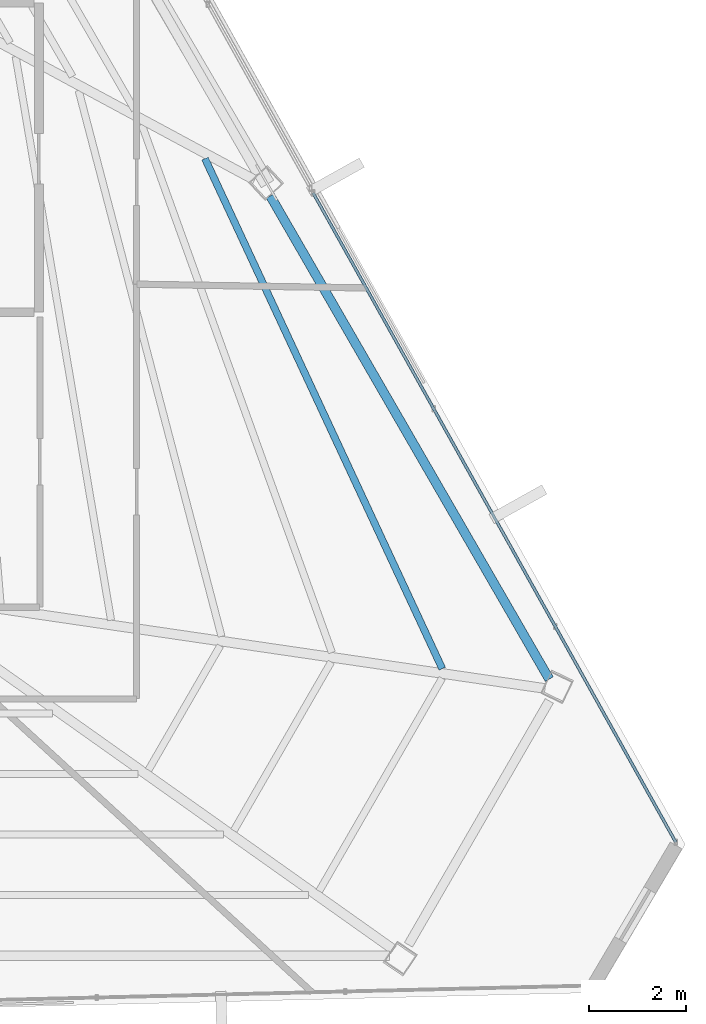
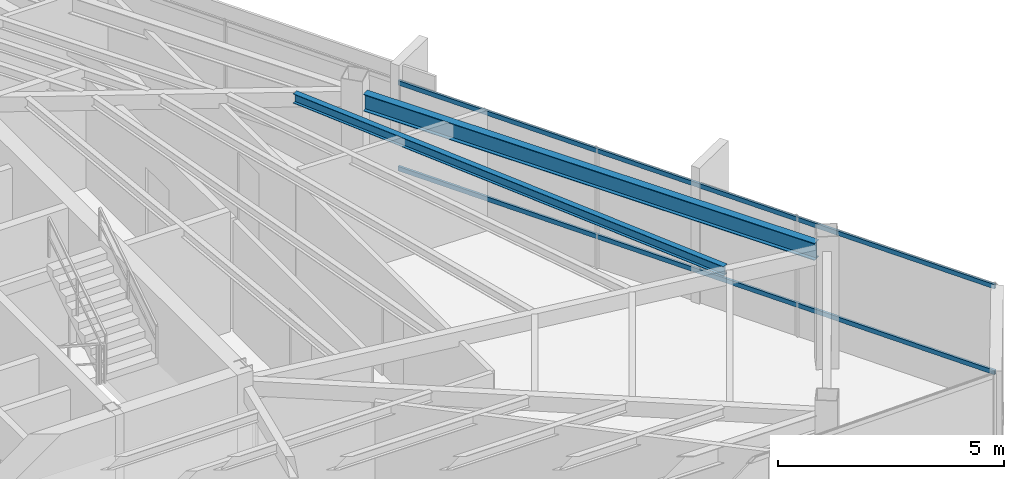
# One storey, part 26 of 44: 2 beams, 2 members, 1 element without a shape of its own.
"""IFC4 building model written with IfcOpenShell, lengths in metres."""

from ifc_helpers import new_model, si_unit, direction, frame, origin, origin_2d, place, context, subcontext, project, spatial, hollow_rectangle, i_section, extrude, source, transform, mapped, material, material_profile, profile_set, type_object, type_shapes, element, aggregate, save


model = new_model("IFC4")

# Units and contexts
model_context = context("Model", 3, precision=1e-05, world=origin(), true_north=direction((0.0, 1.0)))
body_context = subcontext(model_context, "Body", "Model", "MODEL_VIEW")
ifc_project = project(units=[si_unit("LENGTHUNIT", "METRE"), si_unit("AREAUNIT", "SQUARE_METRE"), si_unit("VOLUMEUNIT", "CUBIC_METRE"), si_unit("PLANEANGLEUNIT", "RADIAN"), si_unit("MASSUNIT", "GRAM", prefix="KILO")], contexts=[model_context])

# Site, building, storey
site_placement = place(None, origin())
site = spatial("IfcSite", under=ifc_project, at=site_placement, CompositionType="ELEMENT")
building_placement = place(site_placement, origin())
building = spatial("IfcBuilding", under=site, at=building_placement, Name="Caelisora Broadcast Tower", CompositionType="ELEMENT")
storey_placement = place(building_placement, frame((0.0, 0.0, 280.949951171875)))
storey = spatial("IfcBuildingStorey", under=building, at=storey_placement, Name="L74", CompositionType="ELEMENT", Elevation=280.949951171875)

# Beams
ifc_material_1 = material(Name="Steel Grade 350 (AS/NZS 3679.1)", Category="steel")
ifc_material_profile_1 = material_profile(ifc_material_1, i_section(OverallWidth=0.19091796875, OverallDepth=0.46044921875, WebThickness=0.010009765625, FlangeThickness=0.01611328125, at=origin_2d()), Name="Steel Grade 350 (AS/NZS 3679.1)")
ifc_profile_set_1 = profile_set([ifc_material_profile_1], Name="Steel Grade 350 (AS/NZS 3679.1)")
beam_type_1 = type_object("IfcBeamType", Name="PG06", PredefinedType="BEAM", material=ifc_profile_set_1)
shared_shape_1 = source(origin(), body_context, "Body", "SweptSolid", [
    extrude(i_section(OverallWidth=0.19091796875, OverallDepth=0.46044921875, WebThickness=0.010009765625, FlangeThickness=0.01611328125, at=origin_2d()), origin(), (0.0, 0.0, 1.0), 11.54248046875),
])
type_shapes(beam_type_1, [shared_shape_1])
beam_1_placement = place(storey_placement, frame((59.135986328125, 15.6103515625, 3.019775390625), z_axis=(-0.499999533266, 0.866025673253, 0.0), x_axis=(-0.866025673253, -0.499999533266, 0.0)))
element("IfcBeam", 1, at=beam_1_placement, inside=storey, type_object=beam_type_1, Name="L74 beam PG06", PredefinedType="BEAM", context=body_context, shape_type="MappedRepresentation", body=[
    mapped(shared_shape_1, transform((0.0, 0.0, 0.0), scale=1.0)),
])
ifc_material_profile_2 = material_profile(ifc_material_1, i_section(OverallWidth=0.14599609375, OverallDepth=0.256103515625, WebThickness=0.00634765625, FlangeThickness=0.010986328125, at=origin_2d()), Name="Steel Grade 350 (AS/NZS 3679.1)")
ifc_profile_set_2 = profile_set([ifc_material_profile_2], Name="Steel Grade 350 (AS/NZS 3679.1)")
beam_type_2 = type_object("IfcBeamType", Name="SB04", PredefinedType="JOIST", material=ifc_profile_set_2)
shared_shape_2 = source(origin(), body_context, "Body", "SweptSolid", [
    extrude(i_section(OverallWidth=0.14599609375, OverallDepth=0.256103515625, WebThickness=0.00634765625, FlangeThickness=0.010986328125, at=origin_2d()), origin(), (0.0, 0.0, 1.0), 11.63623046875),
])
type_shapes(beam_type_2, [shared_shape_2])
beam_2_placement = place(storey_placement, frame((56.922607421875, 15.82666015625, 3.1220703125), z_axis=(-0.421757225159, 0.906708797258, 0.0), x_axis=(-0.906708797258, -0.421757225159, 0.0)))
element("IfcBeam", 2, at=beam_2_placement, inside=storey, type_object=beam_type_2, Name="L74 beam SB04", PredefinedType="JOIST", context=body_context, shape_type="MappedRepresentation", body=[
    mapped(shared_shape_2, transform((0.0, 0.0, 0.0), scale=1.0)),
])

# Curtain wall, members
ifc_material_2 = material(Name="Unitised Aluminium and Low-E Glass Curtain Wall", Category="glass")
curtain_wall_type = type_object("IfcCurtainWallType", Name="CW-Z5", PredefinedType="NOTDEFINED", material=ifc_material_2)
curtain_wall_placement = place(storey_placement, origin())
curtain_wall = element("IfcCurtainWall", 3, at=curtain_wall_placement, inside=storey, type_object=curtain_wall_type, Name="L74 curtain wall CW-Z5", PredefinedType="NOTDEFINED")
ifc_material_3 = material(Name="Aluminium 6063-T6 Anodised Terracotta Bronze", Category="aluminium")
ifc_material_profile_3 = material_profile(ifc_material_3, hollow_rectangle(XDim=0.06005859375, YDim=0.1201171875, WallThickness=0.0029296875, at=origin_2d()), Name="Aluminium 6063-T6 Anodised Terracotta Bronze")
ifc_profile_set_3 = profile_set([ifc_material_profile_3], Name="Aluminium 6063-T6 Anodised Terracotta Bronze")
member_type = type_object("IfcMemberType", Name="CWT-03", PredefinedType="USERDEFINED", material=ifc_profile_set_3)
shared_shape_3 = source(origin(), body_context, "Body", "SweptSolid", [
    extrude(hollow_rectangle(XDim=0.06005859375, YDim=0.1201171875, WallThickness=0.0029296875, at=origin_2d()), origin(), (0.0, 0.0, 1.0), 15.382568359375),
])
type_shapes(member_type, [shared_shape_3])
member_1_placement = place(storey_placement, frame((54.25146484375, 25.6689453125, 0.85009765625), z_axis=(0.487580874449, -0.873077826354, 0.0), x_axis=(0.873077826354, 0.487580874449, 0.0)))
member_1 = element("IfcMember", 4, at=member_1_placement, type_object=member_type, Name="L74-CW-B03 transom #1", ObjectType="TRANSOM", PredefinedType="USERDEFINED", context=body_context, shape_type="MappedRepresentation", body=[
    mapped(shared_shape_3, transform((0.0, 0.0, 0.0), scale=1.0)),
])
member_2_placement = place(storey_placement, frame((54.25146484375, 25.6689453125, 3.170166015625), z_axis=(0.487580874449, -0.873077826354, 0.0), x_axis=(0.873077826354, 0.487580874449, 0.0)))
member_2 = element("IfcMember", 5, at=member_2_placement, type_object=member_type, Name="L74-CW-B03 transom #2", ObjectType="TRANSOM", PredefinedType="USERDEFINED", context=body_context, shape_type="MappedRepresentation", body=[
    mapped(shared_shape_3, transform((0.0, 0.0, 0.0), scale=1.0)),
])
aggregate(curtain_wall, [member_1, member_2])

save(model, "model.ifc")
